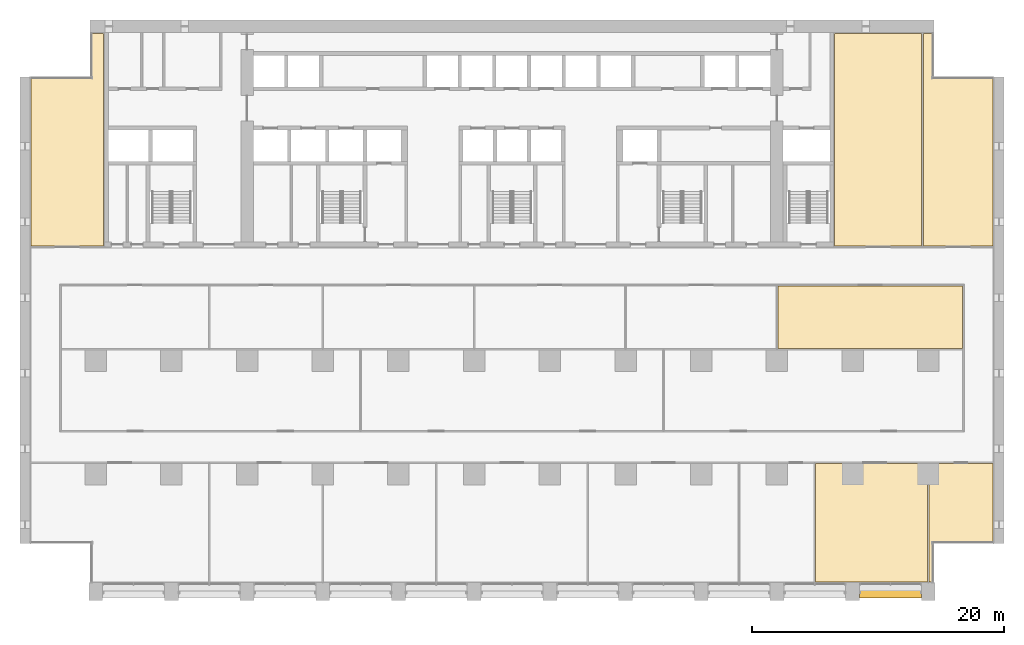
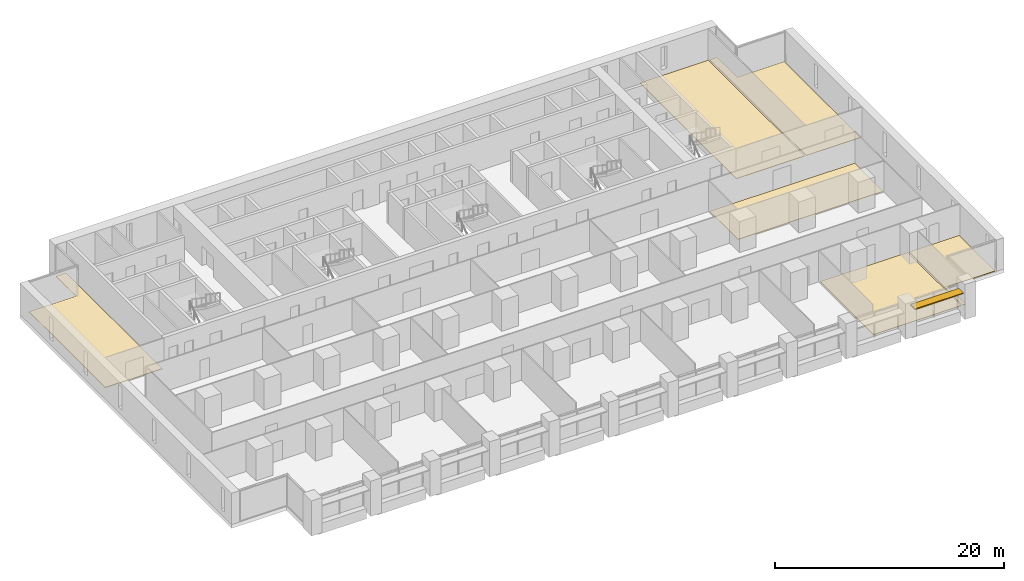
# One storey, part 18 of 18: 6 coverings, 1 shading device.
"""IFC4 building model written with IfcOpenShell, lengths in metres."""

from ifc_helpers import new_model, si_unit, direction, frame, origin, origin_2d, place, context, subcontext, project, spatial, polyline, rectangle, outline, extrude, material, layer, layer_set, material_profile, profile_set, type_object, element, save


model = new_model("IFC4")

# Units and contexts
model_context = context("Model", 3, precision=1e-05, world=origin(), true_north=direction((0.0, 1.0)))
body_context = subcontext(model_context, "Body", "Model", "MODEL_VIEW")
ifc_project = project(units=[si_unit("LENGTHUNIT", "METRE"), si_unit("AREAUNIT", "SQUARE_METRE"), si_unit("VOLUMEUNIT", "CUBIC_METRE"), si_unit("PLANEANGLEUNIT", "RADIAN"), si_unit("MASSUNIT", "GRAM", prefix="KILO")], contexts=[model_context])

# Site, building, storey
site_placement = place(None, origin())
site = spatial("IfcSite", under=ifc_project, at=site_placement, CompositionType="ELEMENT")
building_placement = place(site_placement, origin())
building = spatial("IfcBuilding", under=site, at=building_placement, Name="Calvaro Tower", CompositionType="ELEMENT")
storey_placement = place(building_placement, frame((0.0, 0.0, 45.0)))
storey = spatial("IfcBuildingStorey", under=building, at=storey_placement, Name="L10", CompositionType="ELEMENT", Elevation=45.0)

# Shading device
ifc_material_1 = material(Name="Anodised aluminium", Category="aluminium")
ifc_material_profile = material_profile(ifc_material_1, rectangle(XDim=0.800048828125, YDim=0.10009765625, at=origin_2d()), Name="Brise-soleil blade 800 x 100")
ifc_profile_set = profile_set([ifc_material_profile], Name="Anodised aluminium")
shading_device_type = type_object("IfcShadingDeviceType", Name="Brise-soleil blade 800 x 100", PredefinedType="JALOUSIE", material=ifc_profile_set)
shading_device_placement = place(storey_placement, frame((66.550048828125, 0.60009765625, 2.300048828125), z_axis=(1.0, 0.0, 0.0), x_axis=(0.0, 1.0, 0.0)))
element("IfcShadingDevice", 1, at=shading_device_placement, inside=storey, type_object=shading_device_type, Name="Brise-soleil blade 11", PredefinedType="JALOUSIE", context=body_context, shape_type="SweptSolid", body=[
    extrude(rectangle(XDim=0.800048828125, YDim=0.10009765625, at=origin_2d()), origin(), (0.0, 0.0, 1.0), 4.89990234375),
])

# Coverings
ifc_material_2 = material(Name="Cement screed with carpet tile finish")
ifc_layer = layer(ifc_material_2, 0.050048828125)
ifc_layer_set = layer_set([ifc_layer], Name="Cement screed with carpet tile finish")
covering_type = type_object("IfcCoveringType", Name="Floor finish 50", PredefinedType="FLOORING", material=ifc_layer_set)
covering_1_placement = place(storey_placement, origin())
element("IfcCovering", 2, at=covering_1_placement, inside=storey, type_object=covering_type, Name="Floor finish 10.04", PredefinedType="FLOORING", context=body_context, shape_type="SweptSolid", body=[
    extrude(outline(polyline([(63.070068359375, 10.830078125), (71.929931640625, 10.830078125), (71.929931640625, 1.469970703125), (63.070068359375, 1.469970703125), (63.070068359375, 10.830078125)])), origin(), (0.0, 0.0, 1.0), 0.050048828125),
])
covering_2_placement = place(storey_placement, origin())
element("IfcCovering", 3, at=covering_2_placement, inside=storey, type_object=covering_type, Name="Floor finish 10.09", PredefinedType="FLOORING", context=body_context, shape_type="SweptSolid", body=[
    extrude(outline(polyline([(77.1298828125, 4.570068359375), (72.3798828125, 4.570068359375), (72.3798828125, 1.469970703125), (72.070068359375, 1.469970703125), (72.070068359375, 10.830078125), (77.1298828125, 10.830078125), (77.1298828125, 4.570068359375)])), origin(), (0.0, 0.0, 1.0), 0.050048828125),
])
covering_3_placement = place(storey_placement, origin())
element("IfcCovering", 4, at=covering_3_placement, inside=storey, type_object=covering_type, Name="Floor finish 10.15", PredefinedType="FLOORING", context=body_context, shape_type="SweptSolid", body=[
    extrude(outline(polyline([(60.070068359375, 19.969970703125), (60.070068359375, 24.929931640625), (74.72998046875, 24.929931640625), (74.72998046875, 19.969970703125), (60.070068359375, 19.969970703125)])), origin(), (0.0, 0.0, 1.0), 0.050048828125),
])
covering_4_placement = place(storey_placement, origin())
element("IfcCovering", 5, at=covering_4_placement, inside=storey, type_object=covering_type, Name="Floor finish 10.20", PredefinedType="FLOORING", context=body_context, shape_type="SweptSolid", body=[
    extrude(outline(polyline([(6.6298828125, 28.070068359375), (0.8701171875, 28.070068359375), (0.8701171875, 41.429931640625), (5.6201171875, 41.429931640625), (5.6201171875, 44.929931640625), (6.6298828125, 44.929931640625), (6.6298828125, 28.070068359375)])), origin(), (0.0, 0.0, 1.0), 0.050048828125),
])
covering_5_placement = place(storey_placement, origin())
element("IfcCovering", 6, at=covering_5_placement, inside=storey, type_object=covering_type, Name="Floor finish 10.21", PredefinedType="FLOORING", context=body_context, shape_type="SweptSolid", body=[
    extrude(outline(polyline([(71.47998046875, 28.070068359375), (64.570068359375, 28.070068359375), (64.570068359375, 44.929931640625), (71.47998046875, 44.929931640625), (71.47998046875, 28.070068359375)])), origin(), (0.0, 0.0, 1.0), 0.050048828125),
])
covering_6_placement = place(storey_placement, origin())
element("IfcCovering", 7, at=covering_6_placement, inside=storey, type_object=covering_type, Name="Floor finish 10.19", PredefinedType="FLOORING", context=body_context, shape_type="SweptSolid", body=[
    extrude(outline(polyline([(77.1298828125, 28.070068359375), (71.6201171875, 28.070068359375), (71.6201171875, 44.929931640625), (72.3798828125, 44.929931640625), (72.3798828125, 41.429931640625), (77.1298828125, 41.429931640625), (77.1298828125, 28.070068359375)])), origin(), (0.0, 0.0, 1.0), 0.050048828125),
])

save(model, "model.ifc")
